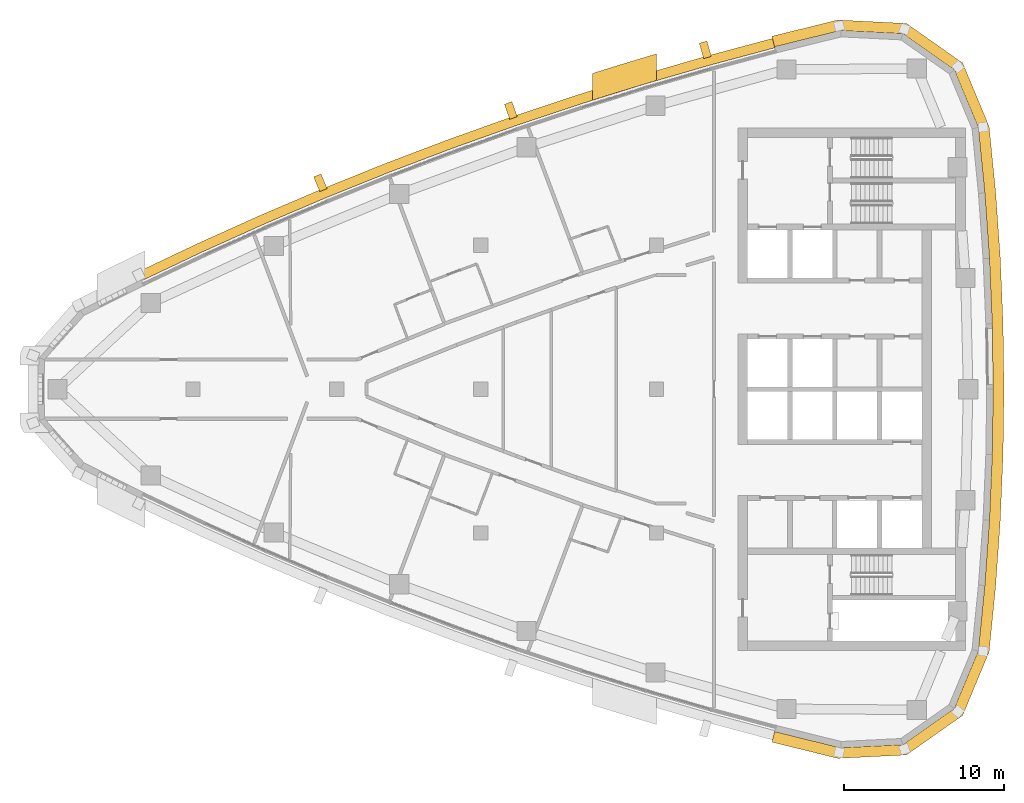
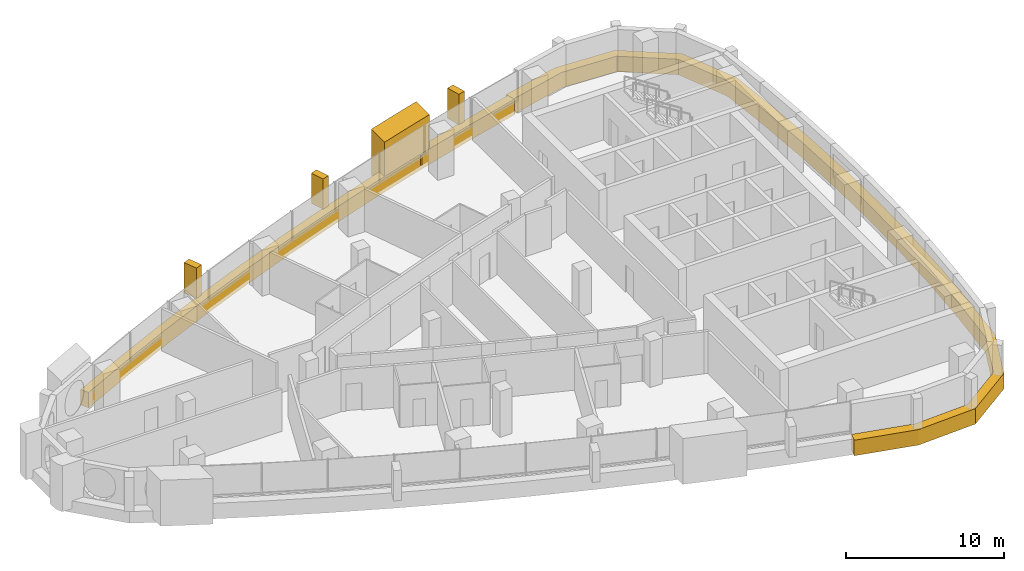
# One storey, part 14 of 15: 6 coverings.
"""IFC4 building model written with IfcOpenShell, lengths in metres."""

from ifc_helpers import new_model, si_unit, direction, frame, frame_2d, origin, place, context, subcontext, project, spatial, polyline, rectangle, outline, extrude, material, layer, layer_set, type_object, element, save


model = new_model("IFC4")

# Units and contexts
model_context = context("Model", 3, precision=1e-05, world=origin(), true_north=direction((0.0, 1.0)))
body_context = subcontext(model_context, "Body", "Model", "MODEL_VIEW")
ifc_project = project(units=[si_unit("LENGTHUNIT", "METRE"), si_unit("AREAUNIT", "SQUARE_METRE"), si_unit("VOLUMEUNIT", "CUBIC_METRE"), si_unit("PLANEANGLEUNIT", "RADIAN"), si_unit("MASSUNIT", "GRAM", prefix="KILO")], contexts=[model_context])

# Site, building, storey
site_placement = place(None, origin())
site = spatial("IfcSite", under=ifc_project, at=site_placement, CompositionType="ELEMENT")
building_placement = place(site_placement, origin())
building = spatial("IfcBuilding", under=site, at=building_placement, Name="Ostrand Prow Hotel Tower", CompositionType="ELEMENT")
storey_placement = place(building_placement, frame((0.0, 0.0, 242.10009765625)))
storey = spatial("IfcBuildingStorey", under=building, at=storey_placement, Name="L61", CompositionType="ELEMENT", Elevation=242.10009765625)

# Coverings
ifc_material_1 = material(Name="Bronze anodised aluminium cladding", Category="aluminium")
ifc_layer_1 = layer(ifc_material_1, 0.60009765625)
ifc_layer_set_1 = layer_set([ifc_layer_1], Name="Bronze anodised aluminium cladding")
covering_type_1 = type_object("IfcCoveringType", Name="Bronze spandrel band 1200x600", PredefinedType="CLADDING", material=ifc_layer_set_1)
covering_1_placement = place(storey_placement, frame((0.0, 0.0, -0.300048828125)))
element("IfcCovering", 1, at=covering_1_placement, inside=storey, type_object=covering_type_1, Name="Spandrel band N1", PredefinedType="CLADDING", context=body_context, shape_type="SweptSolid", body=[
    extrude(outline(polyline([(52.256591796875, 21.944580078125), (48.16064453125, 20.846435546875), (44.087890625, 19.665771484375), (40.039306640625, 18.403564453125), (36.017333984375, 17.059814453125), (32.02294921875, 15.635498046875), (28.058349609375, 14.131103515625), (24.12451171875, 12.547119140625), (20.2236328125, 10.88427734375), (16.35693359375, 9.14306640625), (12.526123046875, 7.324462890625), (12.788818359375, 6.784912109375), (16.60888671875, 8.598388671875), (20.464599609375, 10.334716796875), (24.354248046875, 11.992919921875), (28.27685546875, 13.572265625), (32.230224609375, 15.072509765625), (36.213134765625, 16.49267578125), (40.223876953125, 17.83251953125), (44.260498046875, 19.09130859375), (48.322021484375, 20.268310546875), (52.40625, 21.363525390625), (52.256591796875, 21.944580078125)])), origin(), (0.0, 0.0, 1.0), 1.199951171875),
])
covering_2_placement = place(storey_placement, frame((0.0, 0.0, -0.300048828125)))
element("IfcCovering", 2, at=covering_2_placement, inside=storey, type_object=covering_type_1, Name="Spandrel band back 1", PredefinedType="CLADDING", context=body_context, shape_type="SweptSolid", body=[
    extrude(outline(polyline([(52.22119140625, -22.081787109375), (56.34130859375, -23.09814453125), (60.638671875, -22.8837890625), (64.15771484375, -20.408447265625), (65.81201171875, -16.4365234375), (66.218505859375, -12.3388671875), (66.509033203125, -8.2314453125), (66.68359375, -4.117431640625), (66.74169921875, 0.0), (66.68359375, 4.117431640625), (66.509033203125, 8.2314453125), (66.218505859375, 12.3388671875), (65.81201171875, 16.4365234375), (64.15771484375, 20.408447265625), (60.638671875, 22.8837890625), (56.34130859375, 23.09814453125), (52.22119140625, 22.081787109375), (52.390869140625, 21.42333984375), (56.49755859375, 22.436279296875), (60.417236328125, 22.240966796875), (63.62744140625, 19.98291015625), (65.13623046875, 16.35986328125), (65.541015625, 12.281494140625), (65.830078125, 8.193115234375), (66.00390625, 4.09814453125), (66.061767578125, 0.0), (66.00390625, -4.09814453125), (65.830078125, -8.193115234375), (65.541015625, -12.281494140625), (65.13623046875, -16.35986328125), (63.62744140625, -19.98291015625), (60.417236328125, -22.240966796875), (56.49755859375, -22.436279296875), (52.390869140625, -21.42333984375), (52.22119140625, -22.081787109375)])), origin(), (0.0, 0.0, 1.0), 1.199951171875),
])
ifc_material_2 = material(Name="Limestone cladding", Category="masonry")
ifc_layer_2 = layer(ifc_material_2, 5.0)
ifc_layer_set_2 = layer_set([ifc_layer_2], Name="Limestone cladding")
covering_type_2 = type_object("IfcCoveringType", Name="Portal jamb pilaster limestone", PredefinedType="CLADDING", material=ifc_layer_set_2)
covering_3_placement = place(storey_placement, origin())
element("IfcCovering", 3, at=covering_3_placement, inside=storey, type_object=covering_type_2, Name="Portal jamb NB L61", PredefinedType="CLADDING", context=body_context, shape_type="SweptSolid", body=[
    extrude(outline(polyline([(41.0, 18.08154296875), (42.0, 18.3974609375), (43.0, 18.707763671875), (44.0, 19.0126953125), (45.0, 19.312255859375), (45.0, 20.980712890625), (44.0, 20.68359375), (43.0, 20.381103515625), (42.0, 20.0732421875), (41.0, 19.760009765625), (41.0, 18.08154296875)])), origin(), (0.0, 0.0, 1.0), 3.5498046875),
])
ifc_material_3 = material(Name="Limestone cladding", Category="masonry")
ifc_layer_3 = layer(ifc_material_3, 0.5)
ifc_layer_set_3 = layer_set([ifc_layer_3], Name="Limestone cladding")
covering_type_3 = type_object("IfcCoveringType", Name="Precast stone fin 500x900", PredefinedType="CLADDING", material=ifc_layer_set_3)
for number, where, z_axis, x_axis, name in (
    (4, (48.1875, 20.75, 0.89990234375), (0.0, 0.0, 1.0), (-0.26852507925, 0.963272693381, 0.0), "Stone fin N 2"),
    (5, (36.0498046875, 16.96533203125, 0.89990234375), (0.0, 0.0, 1.0), (-0.326389393469, 0.945235401279, 0.0), "Stone fin N 5"),
    (6, (24.162841796875, 12.45458984375, 0.89990234375), (0.0, 0.0, 1.0), (-0.382811769845, 0.923826362943, 0.0), "Stone fin N 8"),
):
    element("IfcCovering", number, at=place(storey_placement, frame(where, z_axis=z_axis, x_axis=x_axis)), inside=storey, type_object=covering_type_3, Name=name, PredefinedType="CLADDING", context=body_context, shape_type="SweptSolid", body=[
        extrude(rectangle(XDim=1.0, YDim=0.5, at=frame_2d((0.5, 0.0))), origin(), (0.0, 0.0, 1.0), 2.35009765625),
    ])

save(model, "model.ifc")
